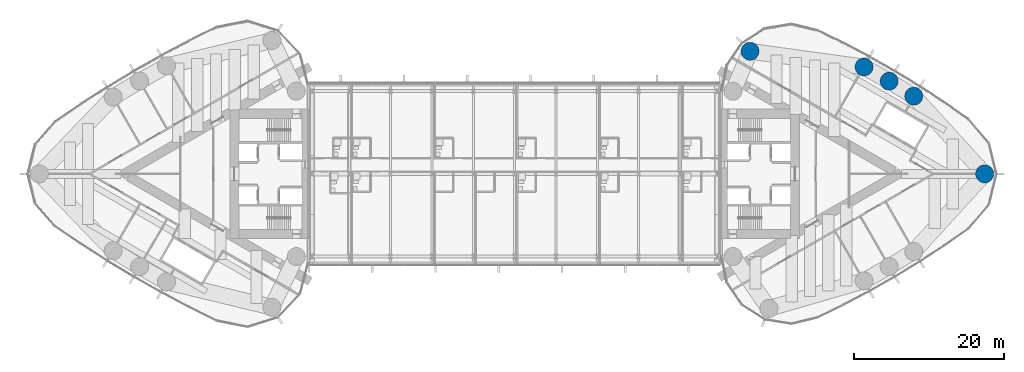
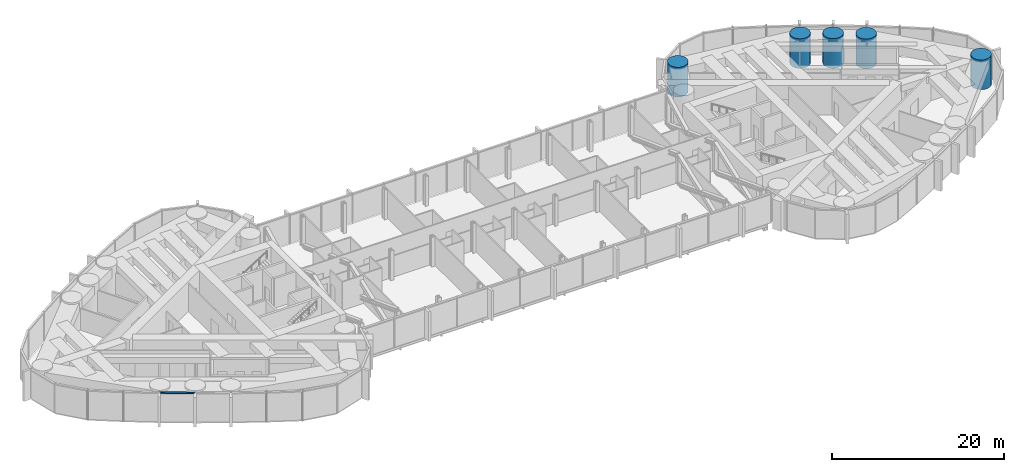
# One storey, part 2 of 23: 5 columns, 1 member, 1 element without a shape of its own.
"""IFC4 building model written with IfcOpenShell, lengths in metres."""

from ifc_helpers import new_model, si_unit, direction, frame, origin, origin_2d, place, context, subcontext, project, spatial, rectangle, circle, extrude, material, material_profile, profile_set, type_object, element, aggregate, save


model = new_model("IFC4")

# Units and contexts
model_context = context("Model", 3, precision=1e-05, world=origin(), true_north=direction((0.0, 1.0)))
body_context = subcontext(model_context, "Body", "Model", "MODEL_VIEW")
ifc_project = project(units=[si_unit("LENGTHUNIT", "METRE"), si_unit("AREAUNIT", "SQUARE_METRE"), si_unit("VOLUMEUNIT", "CUBIC_METRE"), si_unit("PLANEANGLEUNIT", "RADIAN"), si_unit("MASSUNIT", "GRAM", prefix="KILO")], contexts=[model_context])

# Site, building, storey
site_placement = place(None, origin())
site = spatial("IfcSite", under=ifc_project, at=site_placement, CompositionType="ELEMENT")
building_placement = place(site_placement, origin())
building = spatial("IfcBuilding", under=site, at=building_placement, Name="Lancet Gate Hotel", CompositionType="ELEMENT")
storey_placement = place(building_placement, frame((0.0, 0.0, 247.699951171875)))
storey = spatial("IfcBuildingStorey", under=building, at=storey_placement, Name="L66", CompositionType="ELEMENT", Elevation=247.699951171875)

# Columns
ifc_material_1 = material(Name="Concrete C50/60", Category="concrete")
ifc_material_profile_1 = material_profile(ifc_material_1, circle(Radius=1.199951171875, at=origin_2d()), Name="RC D2400")
ifc_profile_set_1 = profile_set([ifc_material_profile_1], Name="Concrete C50/60")
column_type = type_object("IfcColumnType", Name="Perimeter column RC D2400", PredefinedType="COLUMN", material=ifc_profile_set_1)
for number, where, z_axis, x_axis, name in (
    (1, (62.54150390625, 0.0, 0.0), (0.0, 0.0, 1.0), (1.0, 0.0, 0.0), "T2 column CA L66"),
    (2, (31.328369140625, 16.310791015625, 0.0), (0.0, 0.0, 1.0), (1.0, 0.0, 0.0), "T2 column CN L66"),
    (3, (53.107666015625, 10.333984375, 0.0), (0.0, 0.0, 1.0), (1.0, 0.0, 0.0), "T2 column ON1 L66"),
    (4, (49.833984375, 12.331787109375, 0.0), (0.0, 0.0, 1.0), (1.0, 0.0, 0.0), "T2 column ON2 L66"),
    (5, (46.499267578125, 14.2255859375, 0.0), (0.0, 0.0, 1.0), (1.0, 0.0, 0.0), "T2 column ON3 L66"),
):
    element("IfcColumn", number, at=place(storey_placement, frame(where, z_axis=z_axis, x_axis=x_axis)), inside=storey, type_object=column_type, Name=name, PredefinedType="COLUMN", context=body_context, shape_type="SweptSolid", body=[
        extrude(circle(Radius=1.199951171875, at=origin_2d()), origin(), (0.0, 0.0, 1.0), 4.199951171875),
    ])

# Curtain wall, member
ifc_material_2 = material(Name="Aluminium curtain wall", Category="aluminium")
curtain_wall_type = type_object("IfcCurtainWallType", Name="Sky deck full-height glazing", PredefinedType="USERDEFINED", material=ifc_material_2)
curtain_wall_placement = place(storey_placement, origin())
curtain_wall = element("IfcCurtainWall", 6, at=curtain_wall_placement, inside=storey, type_object=curtain_wall_type, Name="T1 L66 curtain wall 1", ObjectType="UNITISED CURTAIN WALL", PredefinedType="USERDEFINED")
ifc_material_3 = material(Name="Aluminium transom", Category="aluminium")
ifc_material_profile_2 = material_profile(ifc_material_3, rectangle(XDim=0.25, YDim=0.14990234375, at=origin_2d()), Name="TRANSOM 250x150")
ifc_profile_set_2 = profile_set([ifc_material_profile_2], Name="Aluminium transom")
member_type = type_object("IfcMemberType", Name="Aluminium transom 250x150", PredefinedType="USERDEFINED", material=ifc_profile_set_2)
member_placement = place(storey_placement, frame((-54.197998046875, -11.55224609375, 4.125), z_axis=(0.856362214892, -0.516375596737, 0.0), x_axis=(0.516375596737, 0.856362214892, 0.0)))
member = element("IfcMember", 7, at=member_placement, type_object=member_type, Name="T1 L66 curtain wall 1 transom 17", ObjectType="TRANSOM", PredefinedType="USERDEFINED", context=body_context, shape_type="SweptSolid", body=[
    extrude(rectangle(XDim=0.25, YDim=0.14990234375, at=origin_2d()), origin(), (0.0, 0.0, 1.0), 4.08447265625),
])
aggregate(curtain_wall, [member])

save(model, "model.ifc")
